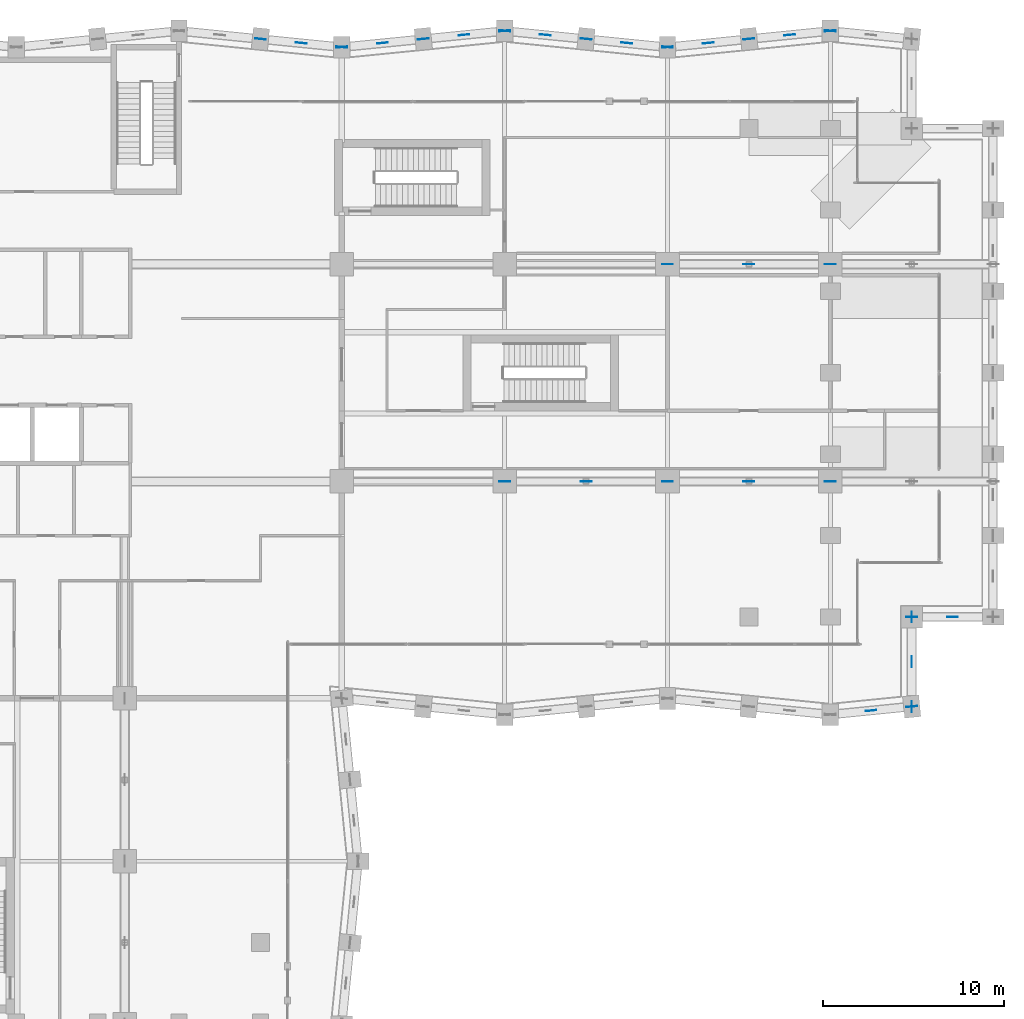
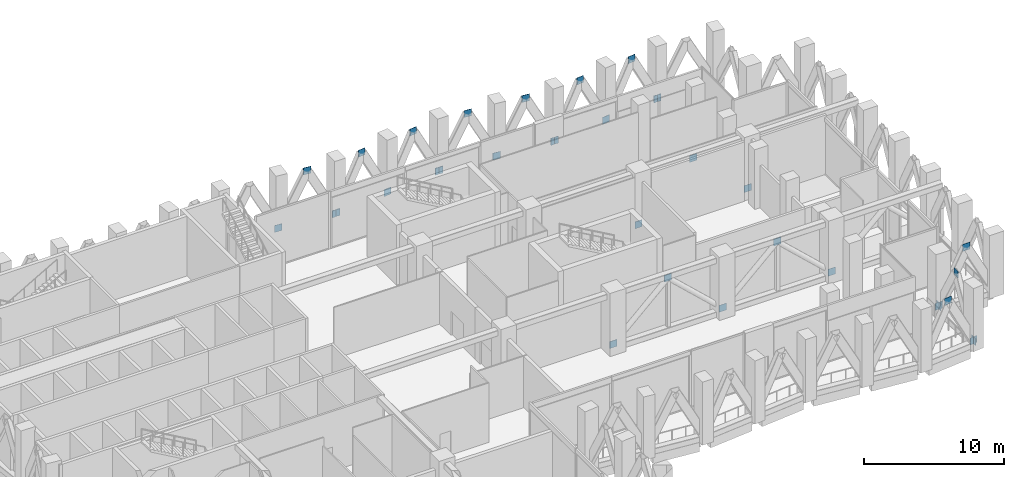
# One storey, part 30 of 37: 34 discrete accessories.
"""IFC4 building model written with IfcOpenShell, lengths in metres."""

from ifc_helpers import new_model, si_unit, direction, frame, origin, origin_2d, place, context, subcontext, project, spatial, rectangle, extrude, material, layer, layer_set, type_object, element, save


model = new_model("IFC4")

# Units and contexts
model_context = context("Model", 3, precision=1e-05, world=origin(), true_north=direction((0.0, 1.0)))
body_context = subcontext(model_context, "Body", "Model", "MODEL_VIEW")
ifc_project = project(units=[si_unit("LENGTHUNIT", "METRE"), si_unit("AREAUNIT", "SQUARE_METRE"), si_unit("VOLUMEUNIT", "CUBIC_METRE"), si_unit("PLANEANGLEUNIT", "RADIAN"), si_unit("MASSUNIT", "GRAM", prefix="KILO")], contexts=[model_context])

# Site, building, storey
site_placement = place(None, origin())
site = spatial("IfcSite", under=ifc_project, at=site_placement, CompositionType="ELEMENT")
building_placement = place(site_placement, origin())
building = spatial("IfcBuilding", under=site, at=building_placement, Name="Brondeck Convention Tower", CompositionType="ELEMENT")
storey_placement = place(building_placement, frame((0.0, 0.0, 137.89990234375)))
storey = spatial("IfcBuildingStorey", under=building, at=storey_placement, Name="L33", CompositionType="ELEMENT", Elevation=137.89990234375)

# Discrete accessories
ifc_material = material(Name="Steel S460", Category="steel")
ifc_layer = layer(ifc_material, 0.02490234375)
ifc_layer_set = layer_set([ifc_layer], Name="Gusset plate 600x600x25 Steel S460")
discrete_accessory_type = type_object("IfcDiscreteAccessoryType", Name="Gusset plate 600x600x25 Steel S460", PredefinedType="BRACKET", material=ifc_layer_set)
for number, where, z_axis, x_axis, name in (
    (1, (65.25, 26.324951171875, 4.550048828125), (0.0, 0.0, 1.0), (0.9950364836, 0.099510784867, 0.0), "Gusset plate GP-386"),
    (2, (67.5, 26.550048828125, 0.199951171875), (0.0, 0.0, 1.0), (0.9950364836, 0.099510784867, 0.0), "Gusset plate GP-387"),
    (3, (67.5, 26.550048828125, 0.199951171875), (0.0, 0.0, 1.0), (0.0, 1.0, 0.0), "Gusset plate GP-388"),
    (4, (67.5, 29.02490234375, 4.550048828125), (0.0, 0.0, 1.0), (0.0, 1.0, 0.0), "Gusset plate GP-389"),
    (5, (67.5, 31.5, 0.199951171875), (0.0, 0.0, 1.0), (0.0, 1.0, 0.0), "Gusset plate GP-390"),
    (6, (67.5, 31.5, 0.199951171875), (0.0, 0.0, 1.0), (1.0, 0.0, 0.0), "Gusset plate GP-391"),
    (7, (69.75, 31.5, 4.550048828125), (0.0, 0.0, 1.0), (1.0, 0.0, 0.0), "Gusset plate GP-392"),
    (8, (63.0, 63.89990234375, 0.199951171875), (0.0, 0.0, 1.0), (-0.9950364836, 0.099510784867, 0.0), "Gusset plate GP-415"),
    (9, (63.0, 63.89990234375, 0.199951171875), (0.0, 0.0, 1.0), (0.9950364836, 0.099510784867, 0.0), "Gusset plate GP-416"),
    (10, (60.75, 63.675048828125, 4.550048828125), (0.0, 0.0, 1.0), (0.9950364836, 0.099510784867, 0.0), "Gusset plate GP-417"),
    (11, (58.5, 63.449951171875, 0.199951171875), (0.0, 0.0, 1.0), (0.9950364836, 0.099510784867, 0.0), "Gusset plate GP-418"),
    (12, (56.25, 63.22509765625, 4.550048828125), (0.0, 0.0, 1.0), (0.9950364836, 0.099510784867, 0.0), "Gusset plate GP-419"),
    (13, (54.0, 63.0, 0.199951171875), (0.0, 0.0, 1.0), (0.9950364836, 0.099510784867, 0.0), "Gusset plate GP-420"),
    (14, (54.0, 63.0, 0.199951171875), (0.0, 0.0, 1.0), (-0.9950364836, 0.099510784867, 0.0), "Gusset plate GP-421"),
    (15, (51.75, 63.22509765625, 4.550048828125), (0.0, 0.0, 1.0), (-0.9950364836, 0.099510784867, 0.0), "Gusset plate GP-422"),
    (16, (49.5, 63.449951171875, 0.199951171875), (0.0, 0.0, 1.0), (-0.9950364836, 0.099510784867, 0.0), "Gusset plate GP-423"),
    (17, (47.25, 63.675048828125, 4.550048828125), (0.0, 0.0, 1.0), (-0.9950364836, 0.099510784867, 0.0), "Gusset plate GP-424"),
    (18, (45.0, 63.89990234375, 0.199951171875), (0.0, 0.0, 1.0), (-0.9950364836, 0.099510784867, 0.0), "Gusset plate GP-425"),
    (19, (45.0, 63.89990234375, 0.199951171875), (0.0, 0.0, 1.0), (0.9950364836, 0.099510784867, 0.0), "Gusset plate GP-426"),
    (20, (42.75, 63.675048828125, 4.550048828125), (0.0, 0.0, 1.0), (0.9950364836, 0.099510784867, 0.0), "Gusset plate GP-427"),
    (21, (40.5, 63.449951171875, 0.199951171875), (0.0, 0.0, 1.0), (0.9950364836, 0.099510784867, 0.0), "Gusset plate GP-428"),
    (22, (38.25, 63.22509765625, 4.550048828125), (0.0, 0.0, 1.0), (0.9950364836, 0.099510784867, 0.0), "Gusset plate GP-429"),
    (23, (36.0, 63.0, 0.199951171875), (0.0, 0.0, 1.0), (0.9950364836, 0.099510784867, 0.0), "Gusset plate GP-430"),
    (24, (36.0, 63.0, 0.199951171875), (0.0, 0.0, 1.0), (-0.9950364836, 0.099510784867, 0.0), "Gusset plate GP-431"),
    (25, (33.75, 63.22509765625, 4.550048828125), (0.0, 0.0, 1.0), (-0.9950364836, 0.099510784867, 0.0), "Gusset plate GP-432"),
    (26, (31.5, 63.449951171875, 0.199951171875), (0.0, 0.0, 1.0), (-0.9950364836, 0.099510784867, 0.0), "Gusset plate GP-433"),
    (27, (45.0, 39.0, 0.199951171875), (0.0, 0.0, 1.0), (1.0, 0.0, 0.0), "Gusset plate GP-492"),
    (28, (49.5, 39.0, 4.400146484375), (0.0, 0.0, 1.0), (1.0, 0.0, 0.0), "Gusset plate GP-493"),
    (29, (54.0, 39.0, 0.199951171875), (0.0, 0.0, 1.0), (1.0, 0.0, 0.0), "Gusset plate GP-494"),
    (30, (58.5, 39.0, 4.400146484375), (0.0, 0.0, 1.0), (1.0, 0.0, 0.0), "Gusset plate GP-495"),
    (31, (63.0, 39.0, 0.199951171875), (0.0, 0.0, 1.0), (1.0, 0.0, 0.0), "Gusset plate GP-496"),
    (32, (54.0, 51.0, 0.199951171875), (0.0, 0.0, 1.0), (1.0, 0.0, 0.0), "Gusset plate GP-499"),
    (33, (58.5, 51.0, 4.400146484375), (0.0, 0.0, 1.0), (1.0, 0.0, 0.0), "Gusset plate GP-500"),
    (34, (63.0, 51.0, 0.199951171875), (0.0, 0.0, 1.0), (1.0, 0.0, 0.0), "Gusset plate GP-501"),
):
    element("IfcDiscreteAccessory", number, at=place(storey_placement, frame(where, z_axis=z_axis, x_axis=x_axis)), inside=storey, type_object=discrete_accessory_type, Name=name, PredefinedType="BRACKET", context=body_context, shape_type="SweptSolid", body=[
        extrude(rectangle(XDim=0.60009765625, YDim=0.02490234375, at=origin_2d()), origin(), (0.0, 0.0, 1.0), 0.60009765625),
    ])

save(model, "model.ifc")
